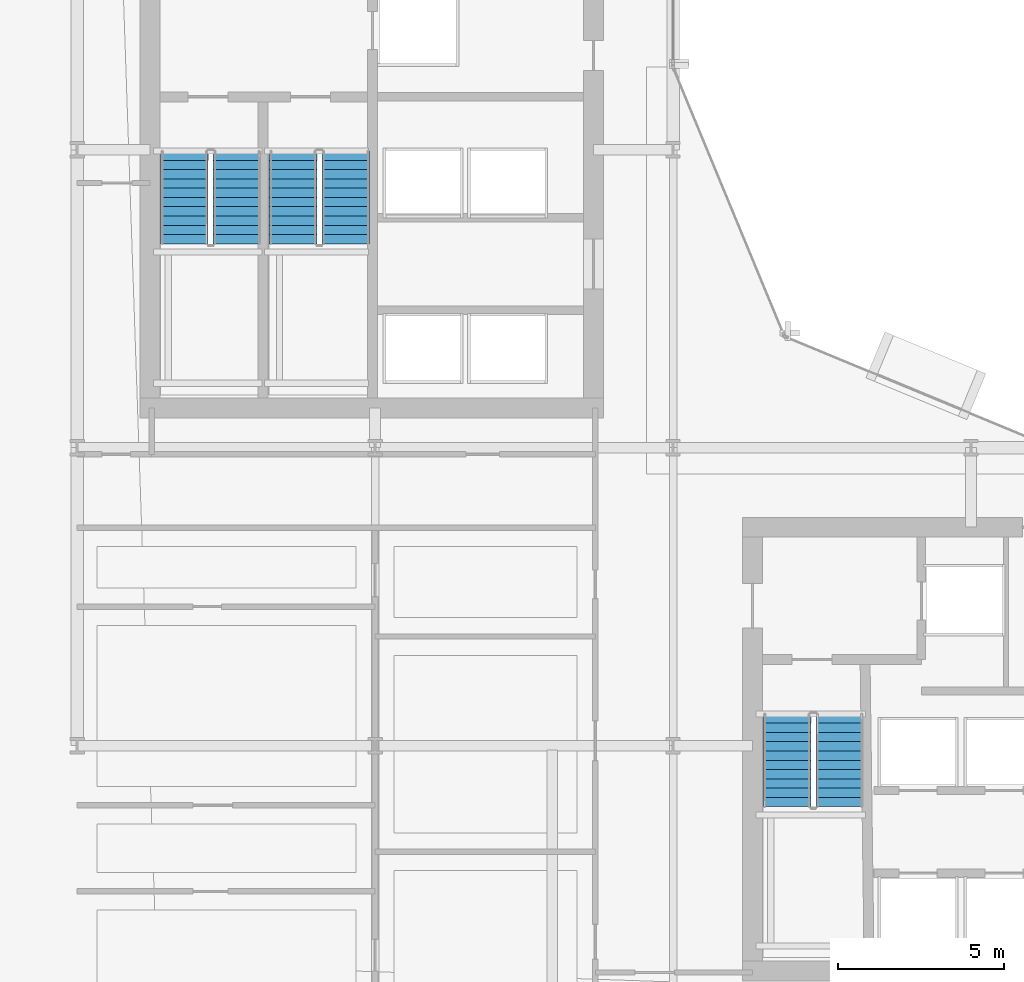
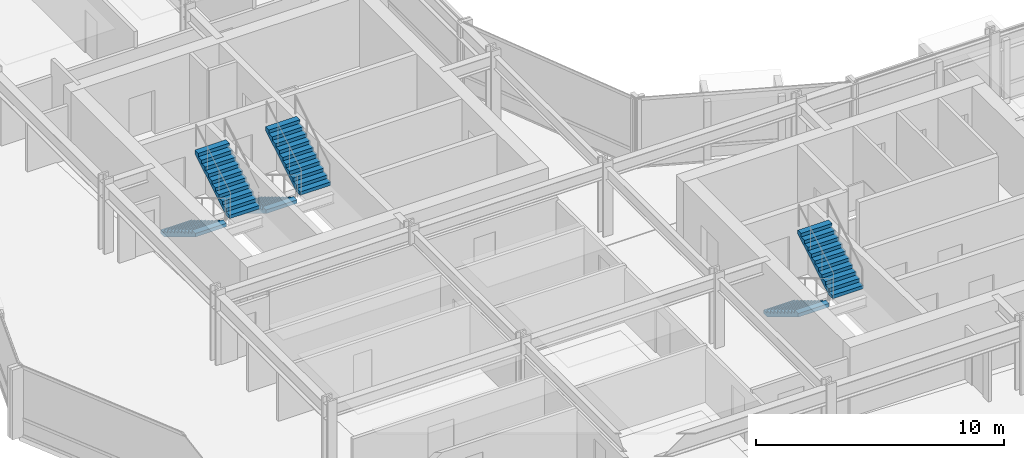
# One storey, part 29 of 34: 6 stair flights, 3 elements without a shape of their own.
"""IFC4 building model written with IfcOpenShell, lengths in metres."""

from ifc_helpers import new_model, si_unit, direction, frame, origin, place, context, subcontext, project, spatial, polyline, outline, extrude, material, layer, layer_set, type_object, element, aggregate, save


model = new_model("IFC4")

# Units and contexts
model_context = context("Model", 3, precision=1e-05, world=origin(), true_north=direction((0.0, 1.0)))
body_context = subcontext(model_context, "Body", "Model", "MODEL_VIEW")
ifc_project = project(units=[si_unit("LENGTHUNIT", "METRE"), si_unit("AREAUNIT", "SQUARE_METRE"), si_unit("VOLUMEUNIT", "CUBIC_METRE"), si_unit("PLANEANGLEUNIT", "RADIAN"), si_unit("MASSUNIT", "GRAM", prefix="KILO")], contexts=[model_context])

# Site, building, storey
site_placement = place(None, origin())
site = spatial("IfcSite", under=ifc_project, at=site_placement, CompositionType="ELEMENT")
building_placement = place(site_placement, origin())
building = spatial("IfcBuilding", under=site, at=building_placement, Name="Solvaryn Broadcast Tower", CompositionType="ELEMENT")
storey_placement = place(building_placement, frame((0.0, 0.0, 36.0)))
storey = spatial("IfcBuildingStorey", under=building, at=storey_placement, Name="L07", CompositionType="ELEMENT", Elevation=36.0)

# Stair, stair flights
ifc_material_1 = material(Name="Concrete f'c 60 MPa", Category="concrete")
stair_type = type_object("IfcStairType", Name="ST-CORE", PredefinedType="HALF_TURN_STAIR", material=ifc_material_1)
stair_1_placement = place(storey_placement, origin())
stair_1 = element("IfcStair", 1, at=stair_1_placement, inside=storey, type_object=stair_type, Name="L07 ST1", PredefinedType="HALF_TURN_STAIR")
ifc_material_2 = material(Name="Concrete f'c 60 MPa", Category="concrete")
ifc_layer = layer(ifc_material_2, 0.159912109375)
ifc_layer_set = layer_set([ifc_layer], Name="SF-CORE")
stair_flight_type = type_object("IfcStairFlightType", Name="SF-CORE", PredefinedType="STRAIGHT", material=ifc_layer_set)
stair_flight_1_placement = place(storey_placement, frame((12.239990234375, 35.9599609375, 0.0), z_axis=(0.0, 0.0, 1.0), x_axis=(0.0, -1.0, 0.0)))
stair_flight_1 = element("IfcStairFlight", 2, at=stair_flight_1_placement, type_object=stair_flight_type, Name="ST1 flight 1", NumberOfRisers=11, NumberOfTreads=10, PredefinedType="STRAIGHT", RiserHeight=0.168181818, TreadLength=0.28, context=body_context, shape_type="SweptSolid", body=[
    extrude(outline(polyline([(0.0, 0.0), (0.0, 0.168212890625), (0.280029296875, 0.168212890625), (0.280029296875, 0.33642578125), (0.56005859375, 0.33642578125), (0.56005859375, 0.504638671875), (0.840087890625, 0.504638671875), (0.840087890625, 0.672607421875), (1.1201171875, 0.672607421875), (1.1201171875, 0.8408203125), (1.39990234375, 0.8408203125), (1.39990234375, 1.009033203125), (1.679931640625, 1.009033203125), (1.679931640625, 1.17724609375), (1.9599609375, 1.17724609375), (1.9599609375, 1.345458984375), (2.239990234375, 1.345458984375), (2.239990234375, 1.513671875), (2.52001953125, 1.513671875), (2.52001953125, 1.681884765625), (2.800048828125, 1.681884765625), (2.800048828125, 1.85009765625), (2.800048828125, 1.5068359375), (0.291015625, 0.0), (0.0, 0.0)])), frame((0.0, 0.719970703125, 0.0), z_axis=(0.0, -1.0, 0.0), x_axis=(1.0, 0.0, 0.0)), (0.0, 0.0, 1.0), 1.43994140625),
])
stair_flight_2_placement = place(storey_placement, frame((13.830078125, 33.159912109375, 1.85009765625), z_axis=(0.0, 0.0, 1.0), x_axis=(0.0, 1.0, 0.0)))
stair_flight_2 = element("IfcStairFlight", 3, at=stair_flight_2_placement, type_object=stair_flight_type, Name="ST1 flight 2", NumberOfRisers=11, NumberOfTreads=10, PredefinedType="STRAIGHT", RiserHeight=0.168181818, TreadLength=0.28, context=body_context, shape_type="SweptSolid", body=[
    extrude(outline(polyline([(0.0, 0.0), (0.0, 0.168212890625), (0.280029296875, 0.168212890625), (0.280029296875, 0.33642578125), (0.56005859375, 0.33642578125), (0.56005859375, 0.504638671875), (0.840087890625, 0.504638671875), (0.840087890625, 0.672607421875), (1.1201171875, 0.672607421875), (1.1201171875, 0.8408203125), (1.39990234375, 0.8408203125), (1.39990234375, 1.009033203125), (1.679931640625, 1.009033203125), (1.679931640625, 1.17724609375), (1.9599609375, 1.17724609375), (1.9599609375, 1.345458984375), (2.239990234375, 1.345458984375), (2.239990234375, 1.513671875), (2.52001953125, 1.513671875), (2.52001953125, 1.681884765625), (2.800048828125, 1.681884765625), (2.800048828125, 1.85009765625), (2.800048828125, 1.5068359375), (0.291015625, 0.0), (0.0, 0.0)])), frame((0.0, 0.719970703125, 0.0), z_axis=(0.0, -1.0, 0.0), x_axis=(1.0, 0.0, 0.0)), (0.0, 0.0, 1.0), 1.43994140625),
])
aggregate(stair_1, [stair_flight_1, stair_flight_2])

stair_2_placement = place(storey_placement, origin())
stair_2 = element("IfcStair", 4, at=stair_2_placement, inside=storey, type_object=stair_type, Name="L07 ST2", PredefinedType="HALF_TURN_STAIR")
stair_flight_3_placement = place(storey_placement, frame((15.52001953125, 35.9599609375, 0.0), z_axis=(0.0, 0.0, 1.0), x_axis=(0.0, -1.0, 0.0)))
stair_flight_3 = element("IfcStairFlight", 5, at=stair_flight_3_placement, type_object=stair_flight_type, Name="ST2 flight 1", NumberOfRisers=11, NumberOfTreads=10, PredefinedType="STRAIGHT", RiserHeight=0.168181818, TreadLength=0.28, context=body_context, shape_type="SweptSolid", body=[
    extrude(outline(polyline([(0.0, 0.0), (0.0, 0.168212890625), (0.280029296875, 0.168212890625), (0.280029296875, 0.33642578125), (0.56005859375, 0.33642578125), (0.56005859375, 0.504638671875), (0.840087890625, 0.504638671875), (0.840087890625, 0.672607421875), (1.1201171875, 0.672607421875), (1.1201171875, 0.8408203125), (1.39990234375, 0.8408203125), (1.39990234375, 1.009033203125), (1.679931640625, 1.009033203125), (1.679931640625, 1.17724609375), (1.9599609375, 1.17724609375), (1.9599609375, 1.345458984375), (2.239990234375, 1.345458984375), (2.239990234375, 1.513671875), (2.52001953125, 1.513671875), (2.52001953125, 1.681884765625), (2.800048828125, 1.681884765625), (2.800048828125, 1.85009765625), (2.800048828125, 1.5068359375), (0.291015625, 0.0), (0.0, 0.0)])), frame((0.0, 0.719970703125, 0.0), z_axis=(0.0, -1.0, 0.0), x_axis=(1.0, 0.0, 0.0)), (0.0, 0.0, 1.0), 1.43994140625),
])
stair_flight_4_placement = place(storey_placement, frame((17.110107421875, 33.159912109375, 1.85009765625), z_axis=(0.0, 0.0, 1.0), x_axis=(0.0, 1.0, 0.0)))
stair_flight_4 = element("IfcStairFlight", 6, at=stair_flight_4_placement, type_object=stair_flight_type, Name="ST2 flight 2", NumberOfRisers=11, NumberOfTreads=10, PredefinedType="STRAIGHT", RiserHeight=0.168181818, TreadLength=0.28, context=body_context, shape_type="SweptSolid", body=[
    extrude(outline(polyline([(0.0, 0.0), (0.0, 0.168212890625), (0.280029296875, 0.168212890625), (0.280029296875, 0.33642578125), (0.56005859375, 0.33642578125), (0.56005859375, 0.504638671875), (0.840087890625, 0.504638671875), (0.840087890625, 0.672607421875), (1.1201171875, 0.672607421875), (1.1201171875, 0.8408203125), (1.39990234375, 0.8408203125), (1.39990234375, 1.009033203125), (1.679931640625, 1.009033203125), (1.679931640625, 1.17724609375), (1.9599609375, 1.17724609375), (1.9599609375, 1.345458984375), (2.239990234375, 1.345458984375), (2.239990234375, 1.513671875), (2.52001953125, 1.513671875), (2.52001953125, 1.681884765625), (2.800048828125, 1.681884765625), (2.800048828125, 1.85009765625), (2.800048828125, 1.5068359375), (0.291015625, 0.0), (0.0, 0.0)])), frame((0.0, 0.719970703125, 0.0), z_axis=(0.0, -1.0, 0.0), x_axis=(1.0, 0.0, 0.0)), (0.0, 0.0, 1.0), 1.43994140625),
])
aggregate(stair_2, [stair_flight_3, stair_flight_4])

stair_3_placement = place(storey_placement, origin())
stair_3 = element("IfcStair", 7, at=stair_3_placement, inside=storey, type_object=stair_type, Name="L07 ST3", PredefinedType="HALF_TURN_STAIR")
stair_flight_5_placement = place(storey_placement, frame((30.43994140625, 18.9599609375, 0.0), z_axis=(0.0, 0.0, 1.0), x_axis=(0.0, -1.0, 0.0)))
stair_flight_5 = element("IfcStairFlight", 8, at=stair_flight_5_placement, type_object=stair_flight_type, Name="ST3 flight 1", NumberOfRisers=11, NumberOfTreads=10, PredefinedType="STRAIGHT", RiserHeight=0.168181818, TreadLength=0.28, context=body_context, shape_type="SweptSolid", body=[
    extrude(outline(polyline([(0.0, 0.0), (0.0, 0.168212890625), (0.280029296875, 0.168212890625), (0.280029296875, 0.33642578125), (0.56005859375, 0.33642578125), (0.56005859375, 0.504638671875), (0.840087890625, 0.504638671875), (0.840087890625, 0.672607421875), (1.1201171875, 0.672607421875), (1.1201171875, 0.8408203125), (1.39990234375, 0.8408203125), (1.39990234375, 1.009033203125), (1.679931640625, 1.009033203125), (1.679931640625, 1.17724609375), (1.9599609375, 1.17724609375), (1.9599609375, 1.345458984375), (2.239990234375, 1.345458984375), (2.239990234375, 1.513671875), (2.52001953125, 1.513671875), (2.52001953125, 1.681884765625), (2.800048828125, 1.681884765625), (2.800048828125, 1.85009765625), (2.800048828125, 1.5068359375), (0.291015625, 0.0), (0.0, 0.0)])), frame((0.0, 0.719970703125, 0.0), z_axis=(0.0, -1.0, 0.0), x_axis=(1.0, 0.0, 0.0)), (0.0, 0.0, 1.0), 1.43994140625),
])
stair_flight_6_placement = place(storey_placement, frame((32.030029296875, 16.159912109375, 1.85009765625), z_axis=(0.0, 0.0, 1.0), x_axis=(0.0, 1.0, 0.0)))
stair_flight_6 = element("IfcStairFlight", 9, at=stair_flight_6_placement, type_object=stair_flight_type, Name="ST3 flight 2", NumberOfRisers=11, NumberOfTreads=10, PredefinedType="STRAIGHT", RiserHeight=0.168181818, TreadLength=0.28, context=body_context, shape_type="SweptSolid", body=[
    extrude(outline(polyline([(0.0, 0.0), (0.0, 0.168212890625), (0.280029296875, 0.168212890625), (0.280029296875, 0.33642578125), (0.56005859375, 0.33642578125), (0.56005859375, 0.504638671875), (0.840087890625, 0.504638671875), (0.840087890625, 0.672607421875), (1.1201171875, 0.672607421875), (1.1201171875, 0.8408203125), (1.39990234375, 0.8408203125), (1.39990234375, 1.009033203125), (1.679931640625, 1.009033203125), (1.679931640625, 1.17724609375), (1.9599609375, 1.17724609375), (1.9599609375, 1.345458984375), (2.239990234375, 1.345458984375), (2.239990234375, 1.513671875), (2.52001953125, 1.513671875), (2.52001953125, 1.681884765625), (2.800048828125, 1.681884765625), (2.800048828125, 1.85009765625), (2.800048828125, 1.5068359375), (0.291015625, 0.0), (0.0, 0.0)])), frame((0.0, 0.719970703125, 0.0), z_axis=(0.0, -1.0, 0.0), x_axis=(1.0, 0.0, 0.0)), (0.0, 0.0, 1.0), 1.43994140625),
])
aggregate(stair_3, [stair_flight_5, stair_flight_6])

save(model, "model.ifc")
